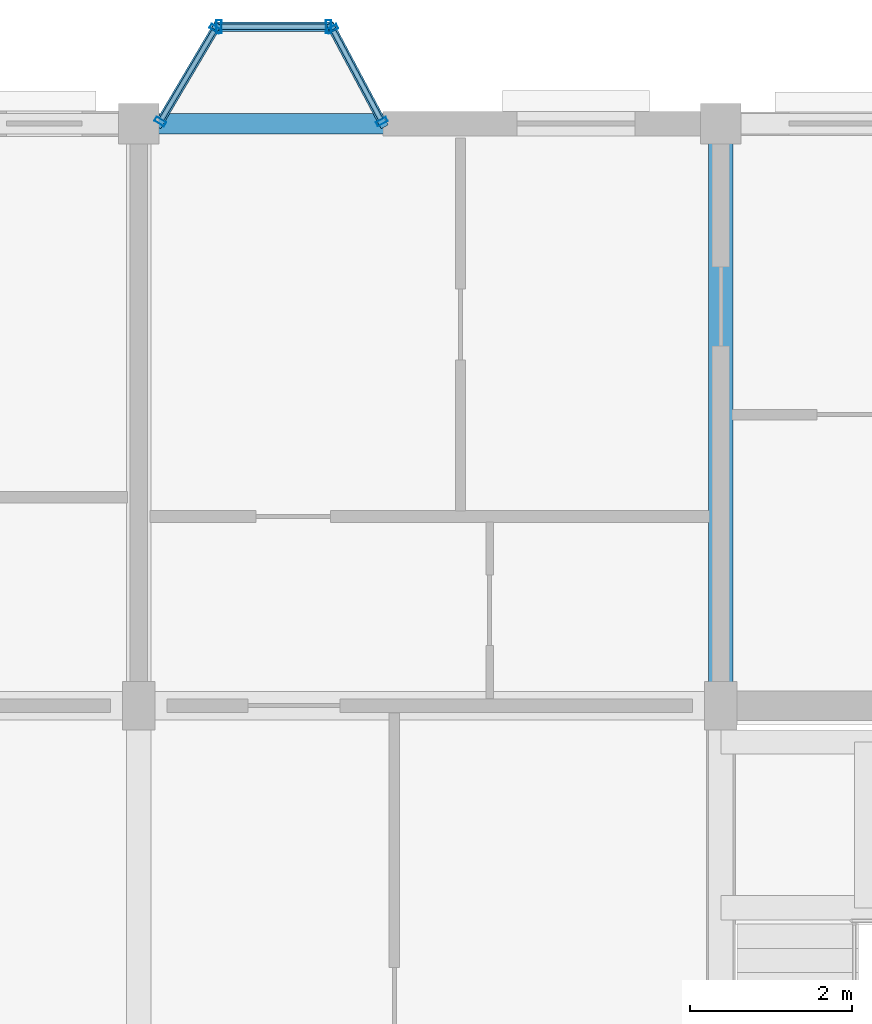
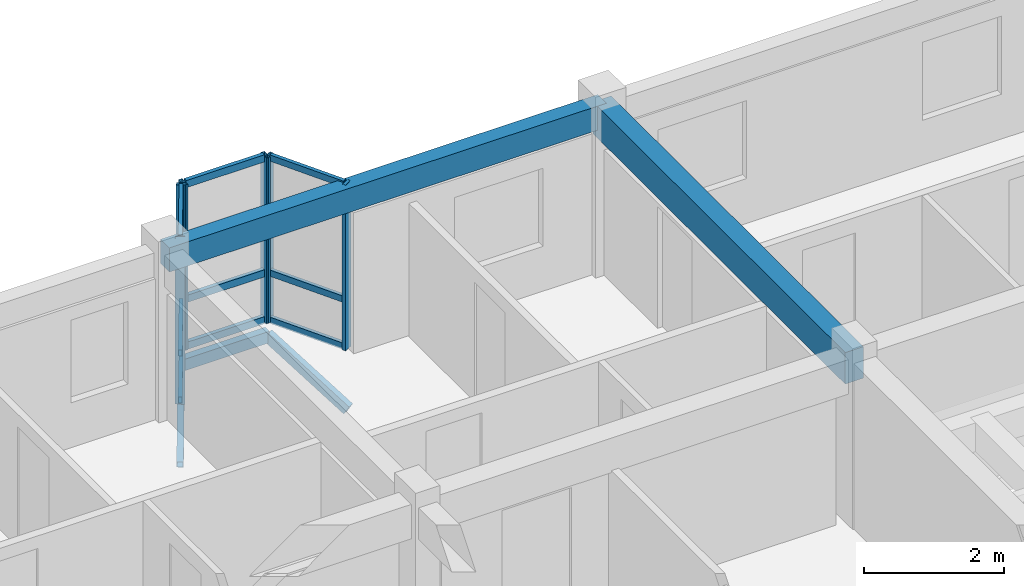
# One storey, part 32 of 64: 18 members, 2 beams, 3 elements without a shape of their own.
"""IFC4 building model written with IfcOpenShell, lengths in metres."""

from ifc_helpers import new_model, si_unit, direction, frame, origin, origin_2d, place, context, subcontext, project, spatial, rectangle, hollow_rectangle, extrude, material, layer, layer_set, material_profile, profile_set, type_object, element, aggregate, save


model = new_model("IFC4")

# Units and contexts
model_context = context("Model", 3, precision=1e-05, world=origin(), true_north=direction((0.0, 1.0)))
body_context = subcontext(model_context, "Body", "Model", "MODEL_VIEW")
ifc_project = project(units=[si_unit("LENGTHUNIT", "METRE"), si_unit("AREAUNIT", "SQUARE_METRE"), si_unit("VOLUMEUNIT", "CUBIC_METRE"), si_unit("PLANEANGLEUNIT", "RADIAN"), si_unit("MASSUNIT", "GRAM", prefix="KILO"), si_unit("THERMODYNAMICTEMPERATUREUNIT", "KELVIN"), si_unit("POWERUNIT", "WATT")], contexts=[model_context])

# Site, building, storey
site_placement = place(None, origin())
site = spatial("IfcSite", under=ifc_project, at=site_placement, CompositionType="ELEMENT")
building_placement = place(site_placement, origin())
building = spatial("IfcBuilding", under=site, at=building_placement, Name="Tavuni Mirador Residences", CompositionType="ELEMENT")
storey_placement = place(building_placement, frame((0.0, 0.0, 26.550048828125)))
storey = spatial("IfcBuildingStorey", under=building, at=storey_placement, Name="L08", CompositionType="ELEMENT", Elevation=26.550048828125)

# Beams
ifc_material_1 = material(Name="Precast concrete C40/50", Category="concrete")
ifc_material_profile_1 = material_profile(ifc_material_1, rectangle(XDim=0.300048828125, YDim=0.550048828125, at=origin_2d()), Name="PC 300x550", Category="concrete")
ifc_profile_set_1 = profile_set([ifc_material_profile_1], Name="Precast concrete C40/50")
beam_type_1 = type_object("IfcBeamType", Name="BT-B550", PredefinedType="BEAM", material=ifc_profile_set_1)
beam_1_placement = place(storey_placement, frame((25.199951171875, 165.60009765625, 2.60986328125), z_axis=(0.0, 1.0, 0.0), x_axis=(-1.0, 0.0, 0.0)))
element("IfcBeam", 1, at=beam_1_placement, inside=storey, type_object=beam_type_1, Name="BMY-BLK-C-L08-02-03", PredefinedType="BEAM", context=body_context, shape_type="SweptSolid", body=[
    extrude(rectangle(XDim=0.300048828125, YDim=0.550048828125, at=origin_2d()), origin(), (0.0, 0.0, 1.0), 7.199951171875),
])
ifc_material_profile_2 = material_profile(ifc_material_1, rectangle(XDim=0.25, YDim=0.419921875, at=origin_2d()), Name="PC 250x420", Category="concrete")
ifc_profile_set_2 = profile_set([ifc_material_profile_2], Name="Precast concrete C40/50")
beam_type_2 = type_object("IfcBeamType", Name="BT-SP420", PredefinedType="SPANDREL", material=ifc_profile_set_2)
beam_2_placement = place(storey_placement, frame((18.0, 172.800048828125, 2.675048828125), z_axis=(1.0, 0.0, 0.0), x_axis=(0.0, 1.0, 0.0)))
element("IfcBeam", 2, at=beam_2_placement, inside=storey, type_object=beam_type_2, Name="BMX-BLK-C-L08-01-04", PredefinedType="SPANDREL", context=body_context, shape_type="SweptSolid", body=[
    extrude(rectangle(XDim=0.25, YDim=0.419921875, at=origin_2d()), origin(), (0.0, 0.0, 1.0), 7.199951171875),
])

# Curtain wall, members
ifc_material_2 = material(Name="Anodised aluminium", Category="aluminium")
ifc_layer_1 = layer(ifc_material_2, 0.175048828125, Name="Anodised aluminium", Category="aluminium")
ifc_layer_set_1 = layer_set([ifc_layer_1], Name="Anodised aluminium")
curtain_wall_type_1 = type_object("IfcCurtainWallType", Name="CWT-MIR-C", PredefinedType="NOTDEFINED", material=ifc_layer_set_1)
curtain_wall_1_placement = place(storey_placement, origin())
curtain_wall_1 = element("IfcCurtainWall", 3, at=curtain_wall_1_placement, inside=storey, type_object=curtain_wall_type_1, Name="CW-MIR-C-N1-L08-M1", PredefinedType="NOTDEFINED")
ifc_material_profile_3 = material_profile(ifc_material_2, hollow_rectangle(XDim=0.06005859375, YDim=0.139892578125, WallThickness=0.00390625, at=origin_2d()), Name="ALU 60x140x4.0", Category="aluminium")
ifc_profile_set_3 = profile_set([ifc_material_profile_3], Name="Anodised aluminium")
member_type_1 = type_object("IfcMemberType", Name="CWM-140", PredefinedType="MULLION", material=ifc_profile_set_3)
member_1_placement = place(storey_placement, frame((21.005859375, 172.826416015625, 0.0), z_axis=(0.0, 0.0, 1.0), x_axis=(-0.470588235296, 0.882352941175, 0.0)))
member_1 = element("IfcMember", 4, at=member_1_placement, type_object=member_type_1, Name="CW-03 mullion 1", PredefinedType="MULLION", context=body_context, shape_type="SweptSolid", body=[
    extrude(hollow_rectangle(XDim=0.06005859375, YDim=0.139892578125, WallThickness=0.00390625, at=origin_2d()), origin(), (0.0, 0.0, 1.0), 2.885009765625),
])
member_2_placement = place(storey_placement, frame((20.39404296875, 173.9736328125, 0.0), z_axis=(0.0, 0.0, 1.0), x_axis=(-0.470588235296, 0.882352941175, 0.0)))
member_2 = element("IfcMember", 5, at=member_2_placement, type_object=member_type_1, Name="CW-03 mullion 2", PredefinedType="MULLION", context=body_context, shape_type="SweptSolid", body=[
    extrude(hollow_rectangle(XDim=0.06005859375, YDim=0.139892578125, WallThickness=0.00390625, at=origin_2d()), origin(), (0.0, 0.0, 1.0), 2.885009765625),
])

ifc_layer_2 = layer(ifc_material_2, 0.1650390625, Name="Anodised aluminium", Category="aluminium")
ifc_layer_set_2 = layer_set([ifc_layer_2], Name="Anodised aluminium")
curtain_wall_type_2 = type_object("IfcCurtainWallType", Name="CWT-MIR-A", PredefinedType="NOTDEFINED", material=ifc_layer_set_2)
curtain_wall_2_placement = place(storey_placement, origin())
curtain_wall_2 = element("IfcCurtainWall", 6, at=curtain_wall_2_placement, inside=storey, type_object=curtain_wall_type_2, Name="CW-MIR-C-N1-L08-M2", PredefinedType="NOTDEFINED")
member_3_placement = place(storey_placement, frame((18.94482421875, 173.97412109375, 0.0), z_axis=(0.0, 0.0, 1.0), x_axis=(-0.509212491254, -0.860640830284, 0.0)))
member_3 = element("IfcMember", 7, at=member_3_placement, type_object=member_type_1, Name="CW-01 mullion 1", PredefinedType="MULLION", context=body_context, shape_type="SweptSolid", body=[
    extrude(hollow_rectangle(XDim=0.06005859375, YDim=0.139892578125, WallThickness=0.00390625, at=origin_2d()), origin(), (0.0, 0.0, 1.0), 2.885009765625),
])
member_4_placement = place(storey_placement, frame((18.265380859375, 172.825927734375, 0.0), z_axis=(0.0, 0.0, 1.0), x_axis=(-0.509212491254, -0.860640830284, 0.0)))
member_4 = element("IfcMember", 8, at=member_4_placement, type_object=member_type_1, Name="CW-01 mullion 2", PredefinedType="MULLION", context=body_context, shape_type="SweptSolid", body=[
    extrude(hollow_rectangle(XDim=0.06005859375, YDim=0.139892578125, WallThickness=0.00390625, at=origin_2d()), origin(), (0.0, 0.0, 1.0), 2.885009765625),
])

ifc_layer_3 = layer(ifc_material_2, 0.159912109375, Name="Anodised aluminium", Category="aluminium")
ifc_layer_set_3 = layer_set([ifc_layer_3], Name="Anodised aluminium")
curtain_wall_type_3 = type_object("IfcCurtainWallType", Name="CWT-MIR-D", PredefinedType="NOTDEFINED", material=ifc_layer_set_3)
curtain_wall_3_placement = place(storey_placement, origin())
curtain_wall_3 = element("IfcCurtainWall", 9, at=curtain_wall_3_placement, inside=storey, type_object=curtain_wall_type_3, Name="CW-MIR-C-N1-L08-MF", PredefinedType="NOTDEFINED")
ifc_material_profile_4 = material_profile(ifc_material_2, hollow_rectangle(XDim=0.06494140625, YDim=0.1650390625, WallThickness=0.00439453125, at=origin_2d()), Name="ALU 65x165x4.5", Category="aluminium")
ifc_profile_set_4 = profile_set([ifc_material_profile_4], Name="Anodised aluminium")
member_type_2 = type_object("IfcMemberType", Name="CWM-165", PredefinedType="MULLION", material=ifc_profile_set_4)
member_5_placement = place(storey_placement, frame((20.347412109375, 174.0, 0.0), z_axis=(0.0, 0.0, 1.0), x_axis=(-1.0, 0.0, 0.0)))
member_5 = element("IfcMember", 10, at=member_5_placement, type_object=member_type_2, Name="CW-04 mullion 1", PredefinedType="MULLION", context=body_context, shape_type="SweptSolid", body=[
    extrude(hollow_rectangle(XDim=0.06494140625, YDim=0.1650390625, WallThickness=0.00439453125, at=origin_2d()), origin(), (0.0, 0.0, 1.0), 2.885009765625),
])
member_6_placement = place(storey_placement, frame((18.992431640625, 174.0, 0.0), z_axis=(0.0, 0.0, 1.0), x_axis=(-1.0, 0.0, 0.0)))
member_6 = element("IfcMember", 11, at=member_6_placement, type_object=member_type_2, Name="CW-04 mullion 2", PredefinedType="MULLION", context=body_context, shape_type="SweptSolid", body=[
    extrude(hollow_rectangle(XDim=0.06494140625, YDim=0.1650390625, WallThickness=0.00439453125, at=origin_2d()), origin(), (0.0, 0.0, 1.0), 2.885009765625),
])

# Member
ifc_material_profile_5 = material_profile(ifc_material_2, hollow_rectangle(XDim=0.06005859375, YDim=0.110107421875, WallThickness=0.00390625, at=origin_2d()), Name="ALU 60x110x4.0", Category="aluminium")
ifc_profile_set_5 = profile_set([ifc_material_profile_5], Name="Anodised aluminium")
member_type_3 = type_object("IfcMemberType", Name="CWT-110", PredefinedType="USERDEFINED", material=ifc_profile_set_5)
member_7_placement = place(storey_placement, frame((20.99169921875, 172.85302734375, 0.030029296875), z_axis=(-0.470608675382, 0.882342039492, 0.0), x_axis=(-0.882342039492, -0.470608675382, 0.0)))
member_7 = element("IfcMember", 12, at=member_7_placement, type_object=member_type_3, Name="CW-03 transom 1.1", ObjectType="TRANSOM", PredefinedType="USERDEFINED", context=body_context, shape_type="SweptSolid", body=[
    extrude(hollow_rectangle(XDim=0.06005859375, YDim=0.110107421875, WallThickness=0.00390625, at=origin_2d()), origin(), (0.0, 0.0, 1.0), 1.239990234375),
])

member_8_placement = place(storey_placement, frame((20.99169921875, 172.85302734375, 0.849853515625), z_axis=(-0.470608675382, 0.882342039492, 0.0), x_axis=(-0.882342039492, -0.470608675382, 0.0)))
member_8 = element("IfcMember", 13, at=member_8_placement, type_object=member_type_3, Name="CW-03 transom 1.2", ObjectType="TRANSOM", PredefinedType="USERDEFINED", context=body_context, shape_type="SweptSolid", body=[
    extrude(hollow_rectangle(XDim=0.06005859375, YDim=0.110107421875, WallThickness=0.00390625, at=origin_2d()), origin(), (0.0, 0.0, 1.0), 1.239990234375),
])

member_9_placement = place(storey_placement, frame((20.99169921875, 172.85302734375, 2.85498046875), z_axis=(-0.470608675382, 0.882342039492, 0.0), x_axis=(-0.882342039492, -0.470608675382, 0.0)))
member_9 = element("IfcMember", 14, at=member_9_placement, type_object=member_type_3, Name="CW-03 transom 1.3", ObjectType="TRANSOM", PredefinedType="USERDEFINED", context=body_context, shape_type="SweptSolid", body=[
    extrude(hollow_rectangle(XDim=0.06005859375, YDim=0.110107421875, WallThickness=0.00390625, at=origin_2d()), origin(), (0.0, 0.0, 1.0), 1.239990234375),
])

aggregate(curtain_wall_1, [member_1, member_2, member_7, member_8, member_9])

member_10_placement = place(storey_placement, frame((18.929443359375, 173.9482421875, 0.030029296875), z_axis=(-0.509245603452, -0.860621238039, 0.0), x_axis=(0.860621238039, -0.509245603452, 0.0)))
member_10 = element("IfcMember", 15, at=member_10_placement, type_object=member_type_3, Name="CW-01 transom 1.1", ObjectType="TRANSOM", PredefinedType="USERDEFINED", context=body_context, shape_type="SweptSolid", body=[
    extrude(hollow_rectangle(XDim=0.06005859375, YDim=0.110107421875, WallThickness=0.00390625, at=origin_2d()), origin(), (0.0, 0.0, 1.0), 1.274169921875),
])

member_11_placement = place(storey_placement, frame((18.929443359375, 173.9482421875, 0.849853515625), z_axis=(-0.509245603452, -0.860621238039, 0.0), x_axis=(0.860621238039, -0.509245603452, 0.0)))
member_11 = element("IfcMember", 16, at=member_11_placement, type_object=member_type_3, Name="CW-01 transom 1.2", ObjectType="TRANSOM", PredefinedType="USERDEFINED", context=body_context, shape_type="SweptSolid", body=[
    extrude(hollow_rectangle(XDim=0.06005859375, YDim=0.110107421875, WallThickness=0.00390625, at=origin_2d()), origin(), (0.0, 0.0, 1.0), 1.274169921875),
])

member_12_placement = place(storey_placement, frame((18.929443359375, 173.9482421875, 2.85498046875), z_axis=(-0.509245603452, -0.860621238039, 0.0), x_axis=(0.860621238039, -0.509245603452, 0.0)))
member_12 = element("IfcMember", 17, at=member_12_placement, type_object=member_type_3, Name="CW-01 transom 1.3", ObjectType="TRANSOM", PredefinedType="USERDEFINED", context=body_context, shape_type="SweptSolid", body=[
    extrude(hollow_rectangle(XDim=0.06005859375, YDim=0.110107421875, WallThickness=0.00390625, at=origin_2d()), origin(), (0.0, 0.0, 1.0), 1.274169921875),
])

aggregate(curtain_wall_2, [member_3, member_4, member_10, member_11, member_12])

ifc_material_profile_6 = material_profile(ifc_material_2, hollow_rectangle(XDim=0.06494140625, YDim=0.125, WallThickness=0.00439453125, at=origin_2d()), Name="ALU 65x125x4.5", Category="aluminium")
ifc_profile_set_6 = profile_set([ifc_material_profile_6], Name="Anodised aluminium")
member_type_4 = type_object("IfcMemberType", Name="CWT-125", PredefinedType="USERDEFINED", material=ifc_profile_set_6)
member_13_placement = place(storey_placement, frame((20.31494140625, 174.0, 0.032470703125), z_axis=(-1.0, 0.0, 0.0), x_axis=(0.0, -1.0, 0.0)))
member_13 = element("IfcMember", 18, at=member_13_placement, type_object=member_type_4, Name="CW-04 transom 1.1", ObjectType="TRANSOM", PredefinedType="USERDEFINED", context=body_context, shape_type="SweptSolid", body=[
    extrude(hollow_rectangle(XDim=0.06494140625, YDim=0.125, WallThickness=0.00439453125, at=origin_2d()), origin(), (0.0, 0.0, 1.0), 1.2900390625),
])

member_14_placement = place(storey_placement, frame((20.31494140625, 174.0, 0.849853515625), z_axis=(-1.0, 0.0, 0.0), x_axis=(0.0, -1.0, 0.0)))
member_14 = element("IfcMember", 19, at=member_14_placement, type_object=member_type_4, Name="CW-04 transom 1.2", ObjectType="TRANSOM", PredefinedType="USERDEFINED", context=body_context, shape_type="SweptSolid", body=[
    extrude(hollow_rectangle(XDim=0.06494140625, YDim=0.125, WallThickness=0.00439453125, at=origin_2d()), origin(), (0.0, 0.0, 1.0), 1.2900390625),
])

member_15_placement = place(storey_placement, frame((20.31494140625, 174.0, 2.8525390625), z_axis=(-1.0, 0.0, 0.0), x_axis=(0.0, -1.0, 0.0)))
member_15 = element("IfcMember", 20, at=member_15_placement, type_object=member_type_4, Name="CW-04 transom 1.3", ObjectType="TRANSOM", PredefinedType="USERDEFINED", context=body_context, shape_type="SweptSolid", body=[
    extrude(hollow_rectangle(XDim=0.06494140625, YDim=0.125, WallThickness=0.00439453125, at=origin_2d()), origin(), (0.0, 0.0, 1.0), 1.2900390625),
])

aggregate(curtain_wall_3, [member_5, member_6, member_13, member_14, member_15])

# Members
ifc_material_3 = material(Name="Structural steel S355", Category="steel")
ifc_material_profile_7 = material_profile(ifc_material_3, hollow_rectangle(XDim=0.10009765625, YDim=0.179931640625, WallThickness=0.008056640625, at=origin_2d()), Name="RHS 180x100x8.0", Category="steel")
ifc_profile_set_7 = profile_set([ifc_material_profile_7], Name="Structural steel S355")
member_type_5 = type_object("IfcMemberType", Name="MT-BR-RHS180", PredefinedType="BRACE", material=ifc_profile_set_7)
member_16_placement = place(storey_placement, frame((18.25, 172.800048828125, -1.050048828125), z_axis=(0.443724340816, 0.74996737796, 0.490568691789), x_axis=(-0.860644027762, 0.509207087026, 0.0)))
element("IfcMember", 21, at=member_16_placement, inside=storey, type_object=member_type_5, Name="MBRK-MIR-C-N1-L08-1", PredefinedType="BRACE", context=body_context, shape_type="SweptSolid", body=[
    extrude(hollow_rectangle(XDim=0.10009765625, YDim=0.179931640625, WallThickness=0.008056640625, at=origin_2d()), origin(), (0.0, 0.0, 1.0), 1.60009765625),
])
member_17_placement = place(storey_placement, frame((21.02001953125, 172.800048828125, -1.050048828125), z_axis=(-0.407660536563, 0.76416915988, 0.499858361956), x_axis=(-0.882303244255, -0.470681405175, 0.0)))
element("IfcMember", 22, at=member_17_placement, inside=storey, type_object=member_type_5, Name="MBRK-MIR-C-N1-L08-2", PredefinedType="BRACE", context=body_context, shape_type="SweptSolid", body=[
    extrude(hollow_rectangle(XDim=0.10009765625, YDim=0.179931640625, WallThickness=0.008056640625, at=origin_2d()), origin(), (0.0, 0.0, 1.0), 1.5703125),
])
ifc_material_profile_8 = material_profile(ifc_material_3, hollow_rectangle(XDim=0.1201171875, YDim=0.199951171875, WallThickness=0.010009765625, at=origin_2d()), Name="RHS 200x120x10.0", Category="steel")
ifc_profile_set_8 = profile_set([ifc_material_profile_8], Name="Structural steel S355")
member_type_6 = type_object("IfcMemberType", Name="MT-ST-RHS200", PredefinedType="STRUT", material=ifc_profile_set_8)
member_18_placement = place(storey_placement, frame((18.9599609375, 174.0, -0.26513671875), z_axis=(1.0, 0.0, 0.0), x_axis=(0.0, 1.0, 0.0)))
element("IfcMember", 23, at=member_18_placement, inside=storey, type_object=member_type_6, Name="MRIM-MIR-C-N1-L08", PredefinedType="STRUT", context=body_context, shape_type="SweptSolid", body=[
    extrude(hollow_rectangle(XDim=0.1201171875, YDim=0.199951171875, WallThickness=0.010009765625, at=origin_2d()), origin(), (0.0, 0.0, 1.0), 1.419921875),
])

save(model, "model.ifc")
